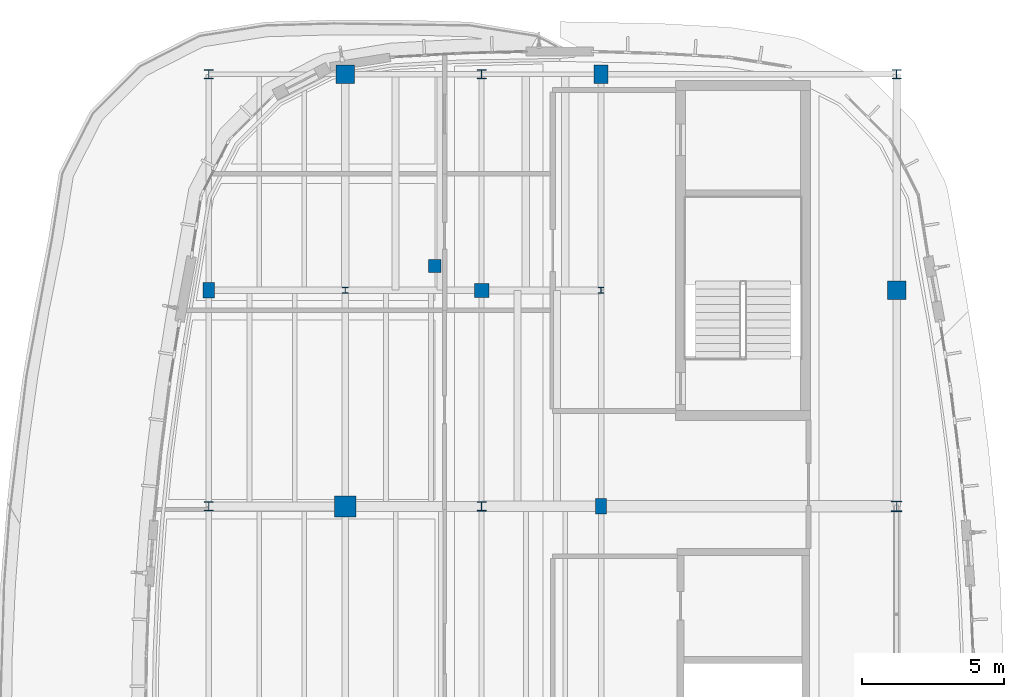
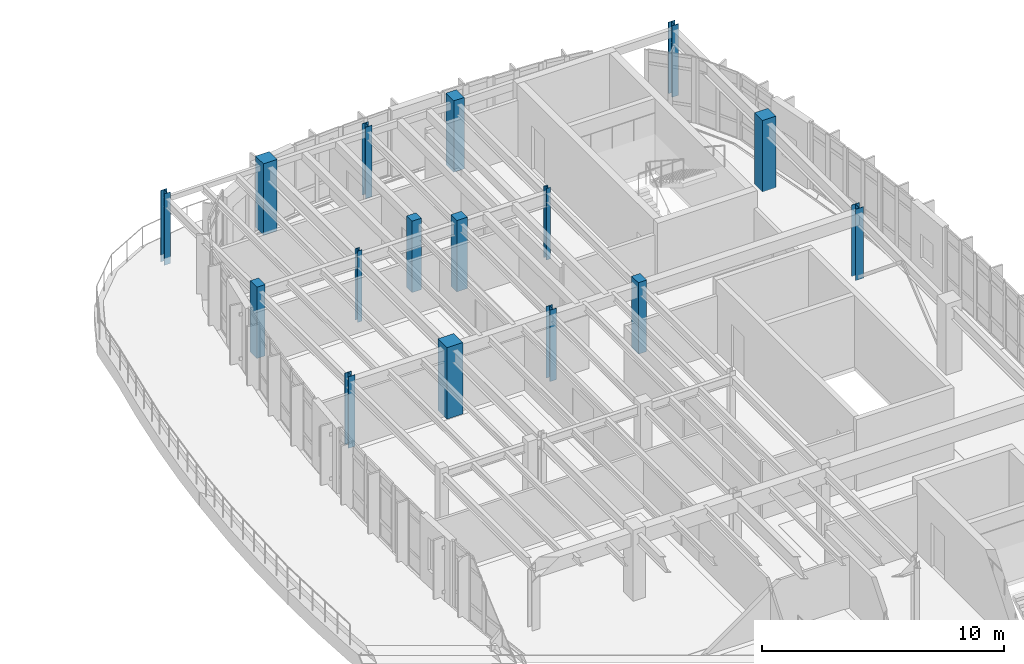
# One storey, part 5 of 30: 16 columns.
"""IFC4 building model written with IfcOpenShell, lengths in metres."""

from ifc_helpers import new_model, si_unit, direction, frame, origin, origin_2d, place, context, subcontext, project, spatial, rectangle, i_section, extrude, material, material_profile, profile_set, type_object, element, save


model = new_model("IFC4")

# Units and contexts
model_context = context("Model", 3, precision=1e-05, world=origin(), true_north=direction((0.0, 1.0)))
body_context = subcontext(model_context, "Body", "Model", "MODEL_VIEW")
ifc_project = project(units=[si_unit("LENGTHUNIT", "METRE"), si_unit("AREAUNIT", "SQUARE_METRE"), si_unit("VOLUMEUNIT", "CUBIC_METRE"), si_unit("PLANEANGLEUNIT", "RADIAN"), si_unit("MASSUNIT", "GRAM", prefix="KILO")], contexts=[model_context])

# Site, building, storey
site_placement = place(None, origin())
site = spatial("IfcSite", under=ifc_project, at=site_placement, CompositionType="ELEMENT")
building_placement = place(site_placement, origin())
building = spatial("IfcBuilding", under=site, at=building_placement, Name="Corveleigh Park Community Centre", CompositionType="ELEMENT")
storey_placement = place(building_placement, frame((0.0, 0.0, 12.60009765625)))
storey = spatial("IfcBuildingStorey", under=building, at=storey_placement, Name="L03", CompositionType="ELEMENT", Elevation=12.60009765625)

# Columns
ifc_material_1 = material(Name="Concrete C40/50", Category="concrete")
ifc_material_profile_1 = material_profile(ifc_material_1, rectangle(XDim=0.39990234375, YDim=0.550048828125, at=origin_2d()), Name="RC-400x550", Category="concrete")
ifc_profile_set_1 = profile_set([ifc_material_profile_1], Name="Concrete C40/50")
column_type_1 = type_object("IfcColumnType", Name="COL-RC-400x550", PredefinedType="COLUMN", material=ifc_profile_set_1)
for number, where, z_axis, x_axis, name in (
    (1, (144.199951171875, 96.60009765625, 0.0), (0.0, 0.0, 1.0), (1.0, 0.0, 0.0), "Column V4-X3Y5 L03"),
    (2, (158.0, 89.0, 0.0), (0.0, 0.0, 1.0), (1.0, 0.0, 0.0), "Column V4-X6Y4 L03"),
):
    element("IfcColumn", number, at=place(storey_placement, frame(where, z_axis=z_axis, x_axis=x_axis)), inside=storey, type_object=column_type_1, Name=name, PredefinedType="COLUMN", context=body_context, shape_type="SweptSolid", body=[
        extrude(rectangle(XDim=0.39990234375, YDim=0.550048828125, at=origin_2d()), origin(), (0.0, 0.0, 1.0), 3.599853515625),
    ])
ifc_material_profile_2 = material_profile(ifc_material_1, rectangle(XDim=0.449951171875, YDim=0.449951171875, at=origin_2d()), Name="RC-450x450", Category="concrete")
ifc_profile_set_2 = profile_set([ifc_material_profile_2], Name="Concrete C40/50")
column_type_2 = type_object("IfcColumnType", Name="COL-RC-450x450", PredefinedType="COLUMN", material=ifc_profile_set_2)
column_1_placement = place(storey_placement, frame((152.14697265625, 97.4560546875, 0.0), z_axis=(0.0, 0.0, 1.0), x_axis=(1.0, 0.0, 0.0)))
element("IfcColumn", 3, at=column_1_placement, inside=storey, type_object=column_type_2, Name="External deck support pier 140 L03", PredefinedType="COLUMN", context=body_context, shape_type="SweptSolid", body=[
    extrude(rectangle(XDim=0.449951171875, YDim=0.449951171875, at=origin_2d()), origin(), (0.0, 0.0, 1.0), 3.599853515625),
])
ifc_material_profile_3 = material_profile(ifc_material_1, rectangle(XDim=0.5, YDim=0.5, at=origin_2d()), Name="RC-500x500", Category="concrete")
ifc_profile_set_3 = profile_set([ifc_material_profile_3], Name="Concrete C40/50")
column_type_3 = type_object("IfcColumnType", Name="COL-RC-500x500", PredefinedType="COLUMN", material=ifc_profile_set_3)
column_2_placement = place(storey_placement, frame((153.800048828125, 96.60009765625, 0.0), z_axis=(0.0, 0.0, 1.0), x_axis=(1.0, 0.0, 0.0)))
element("IfcColumn", 4, at=column_2_placement, inside=storey, type_object=column_type_3, Name="Column V4-X5Y5 L03", PredefinedType="COLUMN", context=body_context, shape_type="SweptSolid", body=[
    extrude(rectangle(XDim=0.5, YDim=0.5, at=origin_2d()), origin(), (0.0, 0.0, 1.0), 3.599853515625),
])
ifc_material_profile_4 = material_profile(ifc_material_1, rectangle(XDim=0.5, YDim=0.64990234375, at=origin_2d()), Name="RC-500x650", Category="concrete")
ifc_profile_set_4 = profile_set([ifc_material_profile_4], Name="Concrete C40/50")
column_type_4 = type_object("IfcColumnType", Name="COL-RC-500x650", PredefinedType="COLUMN", material=ifc_profile_set_4)
column_3_placement = place(storey_placement, frame((158.0, 104.199951171875, 0.0), z_axis=(0.0, 0.0, 1.0), x_axis=(1.0, 0.0, 0.0)))
element("IfcColumn", 5, at=column_3_placement, inside=storey, type_object=column_type_4, Name="Column V4-X6Y6 L03", PredefinedType="COLUMN", context=body_context, shape_type="SweptSolid", body=[
    extrude(rectangle(XDim=0.5, YDim=0.64990234375, at=origin_2d()), origin(), (0.0, 0.0, 1.0), 3.599853515625),
])
ifc_material_profile_5 = material_profile(ifc_material_1, rectangle(XDim=0.64990234375, YDim=0.64990234375, at=origin_2d()), Name="RC-650x650", Category="concrete")
ifc_profile_set_5 = profile_set([ifc_material_profile_5], Name="Concrete C40/50")
column_type_5 = type_object("IfcColumnType", Name="COL-RC-650x650", PredefinedType="COLUMN", material=ifc_profile_set_5)
for number, where, z_axis, x_axis, name in (
    (6, (149.0, 104.199951171875, 0.0), (0.0, 0.0, 1.0), (1.0, 0.0, 0.0), "Column V4-X4Y6 L03"),
    (7, (168.39990234375, 96.60009765625, 0.0), (0.0, 0.0, 1.0), (1.0, 0.0, 0.0), "Column V4-X7Y5 L03"),
):
    element("IfcColumn", number, at=place(storey_placement, frame(where, z_axis=z_axis, x_axis=x_axis)), inside=storey, type_object=column_type_5, Name=name, PredefinedType="COLUMN", context=body_context, shape_type="SweptSolid", body=[
        extrude(rectangle(XDim=0.64990234375, YDim=0.64990234375, at=origin_2d()), origin(), (0.0, 0.0, 1.0), 3.599853515625),
    ])
ifc_material_profile_6 = material_profile(ifc_material_1, rectangle(XDim=0.75, YDim=0.75, at=origin_2d()), Name="RC-750x750", Category="concrete")
ifc_profile_set_6 = profile_set([ifc_material_profile_6], Name="Concrete C40/50")
column_type_6 = type_object("IfcColumnType", Name="COL-RC-750x750", PredefinedType="COLUMN", material=ifc_profile_set_6)
column_4_placement = place(storey_placement, frame((149.0, 89.0, 0.0), z_axis=(0.0, 0.0, 1.0), x_axis=(1.0, 0.0, 0.0)))
element("IfcColumn", 8, at=column_4_placement, inside=storey, type_object=column_type_6, Name="Column V4-X4Y4 L03", PredefinedType="COLUMN", context=body_context, shape_type="SweptSolid", body=[
    extrude(rectangle(XDim=0.75, YDim=0.75, at=origin_2d()), origin(), (0.0, 0.0, 1.0), 3.599853515625),
])
ifc_material_2 = material(Name="Steel S355", Category="steel")
ifc_material_profile_7 = material_profile(ifc_material_2, i_section(OverallWidth=0.205810546875, OverallDepth=0.209716796875, WebThickness=0.009521484375, FlangeThickness=0.01416015625, at=origin_2d()), Name="UKC 203x203x60", Category="steel")
ifc_profile_set_7 = profile_set([ifc_material_profile_7], Name="Steel S355")
column_type_7 = type_object("IfcColumnType", Name="COL-STL-UKC203x60", PredefinedType="COLUMN", material=ifc_profile_set_7)
column_5_placement = place(storey_placement, frame((149.0, 96.60009765625, 0.0), z_axis=(0.0, 0.0, 1.0), x_axis=(1.0, 0.0, 0.0)))
element("IfcColumn", 9, at=column_5_placement, inside=storey, type_object=column_type_7, Name="Column V4-X4Y5 L03", PredefinedType="COLUMN", context=body_context, shape_type="SweptSolid", body=[
    extrude(i_section(OverallWidth=0.205810546875, OverallDepth=0.209716796875, WebThickness=0.009521484375, FlangeThickness=0.01416015625, at=origin_2d()), origin(), (0.0, 0.0, 1.0), 3.599853515625),
])
ifc_material_profile_8 = material_profile(ifc_material_2, i_section(OverallWidth=0.206298828125, OverallDepth=0.2158203125, WebThickness=0.010009765625, FlangeThickness=0.017333984375, at=origin_2d()), Name="UKC 203x203x71", Category="steel")
ifc_profile_set_8 = profile_set([ifc_material_profile_8], Name="Steel S355")
column_type_8 = type_object("IfcColumnType", Name="COL-STL-UKC203x71", PredefinedType="COLUMN", material=ifc_profile_set_8)
column_6_placement = place(storey_placement, frame((158.0, 96.60009765625, 0.0), z_axis=(0.0, 0.0, 1.0), x_axis=(1.0, 0.0, 0.0)))
element("IfcColumn", 10, at=column_6_placement, inside=storey, type_object=column_type_8, Name="Column V4-X6Y5 L03", PredefinedType="COLUMN", context=body_context, shape_type="SweptSolid", body=[
    extrude(i_section(OverallWidth=0.206298828125, OverallDepth=0.2158203125, WebThickness=0.010009765625, FlangeThickness=0.017333984375, at=origin_2d()), origin(), (0.0, 0.0, 1.0), 3.599853515625),
])
ifc_material_profile_9 = material_profile(ifc_material_2, i_section(OverallWidth=0.307373046875, OverallDepth=0.314453125, WebThickness=0.011962890625, FlangeThickness=0.018798828125, at=origin_2d()), Name="UKC 305x305x118", Category="steel")
ifc_profile_set_9 = profile_set([ifc_material_profile_9], Name="Steel S355")
column_type_9 = type_object("IfcColumnType", Name="COL-STL-UKC305x118", PredefinedType="COLUMN", material=ifc_profile_set_9)
column_7_placement = place(storey_placement, frame((153.800048828125, 104.199951171875, 0.0), z_axis=(0.0, 0.0, 1.0), x_axis=(1.0, 0.0, 0.0)))
element("IfcColumn", 11, at=column_7_placement, inside=storey, type_object=column_type_9, Name="Column V4-X5Y6 L03", PredefinedType="COLUMN", context=body_context, shape_type="SweptSolid", body=[
    extrude(i_section(OverallWidth=0.307373046875, OverallDepth=0.314453125, WebThickness=0.011962890625, FlangeThickness=0.018798828125, at=origin_2d()), origin(), (0.0, 0.0, 1.0), 3.599853515625),
])
ifc_material_profile_10 = material_profile(ifc_material_2, i_section(OverallWidth=0.30908203125, OverallDepth=0.320556640625, WebThickness=0.013916015625, FlangeThickness=0.021728515625, at=origin_2d()), Name="UKC 305x305x137", Category="steel")
ifc_profile_set_10 = profile_set([ifc_material_profile_10], Name="Steel S355")
column_type_10 = type_object("IfcColumnType", Name="COL-STL-UKC305x137", PredefinedType="COLUMN", material=ifc_profile_set_10)
for number, where, z_axis, x_axis, name in (
    (12, (144.199951171875, 89.0, 0.0), (0.0, 0.0, 1.0), (1.0, 0.0, 0.0), "Column V4-X3Y4 L03"),
    (13, (168.39990234375, 104.199951171875, 0.0), (0.0, 0.0, 1.0), (1.0, 0.0, 0.0), "Column V4-X7Y6 L03"),
):
    element("IfcColumn", number, at=place(storey_placement, frame(where, z_axis=z_axis, x_axis=x_axis)), inside=storey, type_object=column_type_10, Name=name, PredefinedType="COLUMN", context=body_context, shape_type="SweptSolid", body=[
        extrude(i_section(OverallWidth=0.30908203125, OverallDepth=0.320556640625, WebThickness=0.013916015625, FlangeThickness=0.021728515625, at=origin_2d()), origin(), (0.0, 0.0, 1.0), 3.599853515625),
    ])
ifc_material_profile_11 = material_profile(ifc_material_2, i_section(OverallWidth=0.311279296875, OverallDepth=0.3271484375, WebThickness=0.015869140625, FlangeThickness=0.02490234375, at=origin_2d()), Name="UKC 305x305x158", Category="steel")
ifc_profile_set_11 = profile_set([ifc_material_profile_11], Name="Steel S355")
column_type_11 = type_object("IfcColumnType", Name="COL-STL-UKC305x158", PredefinedType="COLUMN", material=ifc_profile_set_11)
column_8_placement = place(storey_placement, frame((153.800048828125, 89.0, 0.0), z_axis=(0.0, 0.0, 1.0), x_axis=(1.0, 0.0, 0.0)))
element("IfcColumn", 14, at=column_8_placement, inside=storey, type_object=column_type_11, Name="Column V4-X5Y4 L03", PredefinedType="COLUMN", context=body_context, shape_type="SweptSolid", body=[
    extrude(i_section(OverallWidth=0.311279296875, OverallDepth=0.3271484375, WebThickness=0.015869140625, FlangeThickness=0.02490234375, at=origin_2d()), origin(), (0.0, 0.0, 1.0), 3.599853515625),
])
ifc_material_profile_12 = material_profile(ifc_material_2, i_section(OverallWidth=0.305419921875, OverallDepth=0.307861328125, WebThickness=0.010009765625, FlangeThickness=0.015380859375, at=origin_2d()), Name="UKC 305x305x97", Category="steel")
ifc_profile_set_12 = profile_set([ifc_material_profile_12], Name="Steel S355")
column_type_12 = type_object("IfcColumnType", Name="COL-STL-UKC305x97", PredefinedType="COLUMN", material=ifc_profile_set_12)
column_9_placement = place(storey_placement, frame((144.199951171875, 104.199951171875, 0.0), z_axis=(0.0, 0.0, 1.0), x_axis=(1.0, 0.0, 0.0)))
element("IfcColumn", 15, at=column_9_placement, inside=storey, type_object=column_type_12, Name="Column V4-X3Y6 L03", PredefinedType="COLUMN", context=body_context, shape_type="SweptSolid", body=[
    extrude(i_section(OverallWidth=0.305419921875, OverallDepth=0.307861328125, WebThickness=0.010009765625, FlangeThickness=0.015380859375, at=origin_2d()), origin(), (0.0, 0.0, 1.0), 3.599853515625),
])
ifc_material_profile_13 = material_profile(ifc_material_2, i_section(OverallWidth=0.37060546875, OverallDepth=0.362060546875, WebThickness=0.01220703125, FlangeThickness=0.020751953125, at=origin_2d()), Name="UKC 356x368x153", Category="steel")
ifc_profile_set_13 = profile_set([ifc_material_profile_13], Name="Steel S355")
column_type_13 = type_object("IfcColumnType", Name="COL-STL-UKC356x153", PredefinedType="COLUMN", material=ifc_profile_set_13)
column_10_placement = place(storey_placement, frame((168.39990234375, 89.0, 0.0), z_axis=(0.0, 0.0, 1.0), x_axis=(1.0, 0.0, 0.0)))
element("IfcColumn", 16, at=column_10_placement, inside=storey, type_object=column_type_13, Name="Column V4-X7Y4 L03", PredefinedType="COLUMN", context=body_context, shape_type="SweptSolid", body=[
    extrude(i_section(OverallWidth=0.37060546875, OverallDepth=0.362060546875, WebThickness=0.01220703125, FlangeThickness=0.020751953125, at=origin_2d()), origin(), (0.0, 0.0, 1.0), 3.599853515625),
])

save(model, "model.ifc")
